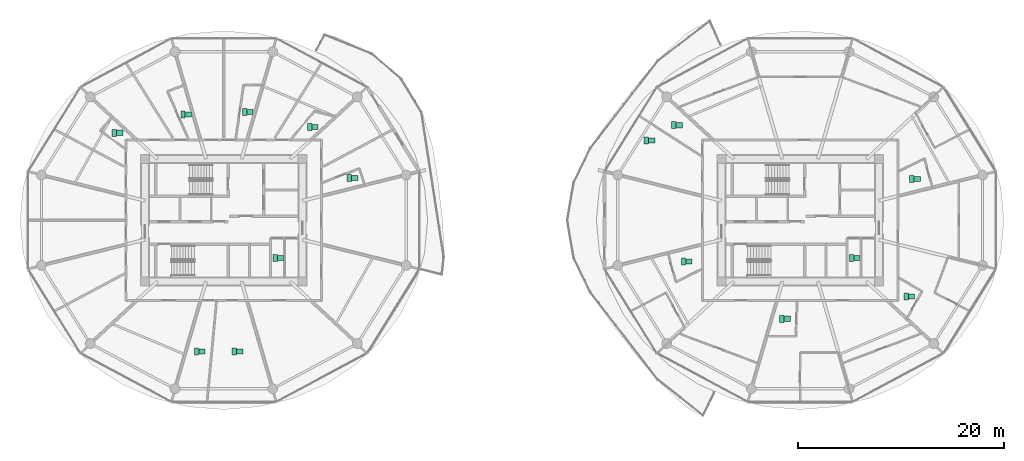
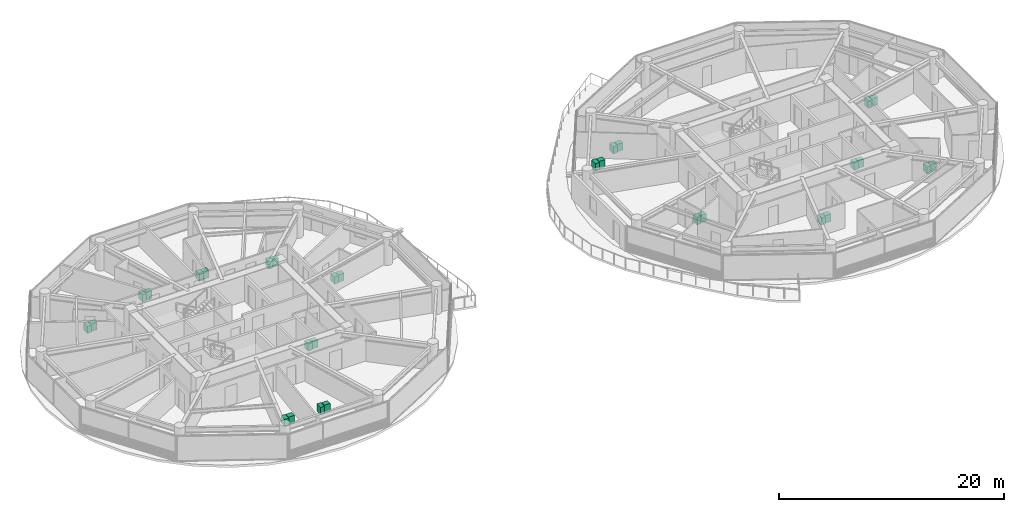
# One storey, part 26 of 26: 30 sanitary terminals.
"""IFC4 building model written with IfcOpenShell, lengths in metres."""

import ifcopenshell
import ifcopenshell.guid

model = None  # the IFC model being written
_history = None  # IfcOwnerHistory: only IFC2X3 demands one
_inside = {}  # id of a spatial element -> (the spatial element, [elements in it])
_under = {}  # id of a project, library or spatial element -> (it, [spatial elements below it])
_declared = {}  # id of a project -> (the project, [libraries it declares])
_typed = {}  # id of a type object -> (the type object, [elements of that type])
_made_of = {}  # id of a material, layer set ... -> (it, [elements and type objects made of it])


def new_model(schema):
    """Start an empty IFC model of exactly this schema.

    Asked for "IFC4X3", IfcOpenShell would pick the latest addendum, in which some entities
    have other attributes; the version numbers below select the first issue.
    IFC2X3 requires an IfcOwnerHistory on every rooted entity: one is made here for all.
    """
    global model, _history
    if schema == "IFC4X3":
        model = ifcopenshell.file(schema_version=(4, 3, 0, 0))
    else:
        model = ifcopenshell.file(schema=schema)
    _inside.clear()
    _under.clear()
    _declared.clear()
    _typed.clear()
    _made_of.clear()
    _history = None
    if model.schema == "IFC2X3":
        org = make("IfcOrganization", Name="unknown")
        user = make(
            "IfcPersonAndOrganization",
            ThePerson=make("IfcPerson", FamilyName="unknown"),
            TheOrganization=org,
        )
        app = make(
            "IfcApplication",
            ApplicationDeveloper=org,
            Version="unknown",
            ApplicationFullName="unknown",
            ApplicationIdentifier="unknown",
        )
        _history = make(
            "IfcOwnerHistory",
            OwningUser=user,
            OwningApplication=app,
            ChangeAction="ADDED",
            CreationDate=0,
        )
    return model


def make(cls, **values):
    """One entity of the class cls with the attributes given. An attribute that is None is left unset."""
    return model.create_entity(
        cls, **{name: value for name, value in values.items() if value is not None}
    )


def rooted(cls, **values):
    """An entity with a GlobalId (a new one), such as an element, a storey or a relation."""
    return make(cls, GlobalId=ifcopenshell.guid.new(), OwnerHistory=_history, **values)


def si_unit(unit_type, name, prefix=None):
    """IfcSIUnit, for example si_unit("LENGTHUNIT", "METRE", prefix="MILLI")."""
    return make("IfcSIUnit", UnitType=unit_type, Prefix=prefix, Name=name)


def assignment(units):
    """IfcUnitAssignment: the units of a project."""
    return None if units is None else make("IfcUnitAssignment", Units=units)


def point(xyz):
    """IfcCartesianPoint."""
    return None if xyz is None else make("IfcCartesianPoint", Coordinates=xyz)


def direction(xyz):
    """IfcDirection."""
    return None if xyz is None else make("IfcDirection", DirectionRatios=xyz)


def frame(location, z_axis=None, x_axis=None):
    """IfcAxis2Placement3D, a coordinate frame: its origin and axes. An axis left out is left unset."""
    return make(
        "IfcAxis2Placement3D",
        Location=point(location),
        Axis=direction(z_axis),
        RefDirection=direction(x_axis),
    )


def frame_2d(location, x_axis=None):
    """IfcAxis2Placement2D, a coordinate frame in the plane: its origin and x axis."""
    return make(
        "IfcAxis2Placement2D", Location=point(location), RefDirection=direction(x_axis)
    )


def origin():
    """The frame at (0, 0, 0) with its axes left unset."""
    return frame((0.0, 0.0, 0.0))


def origin_2d():
    """The frame at (0, 0) in the plane with its x axis left unset."""
    return frame_2d((0.0, 0.0))


def place(relative_to, where):
    """IfcLocalPlacement: puts the frame where relative to a parent placement (None: the world)."""
    return make(
        "IfcLocalPlacement", PlacementRelTo=relative_to, RelativePlacement=where
    )


def context(
    kind, dimensions, precision=None, world=None, true_north=None, identifier=None
):
    """IfcGeometricRepresentationContext, for example the 3D "Model" context."""
    return make(
        "IfcGeometricRepresentationContext",
        ContextIdentifier=identifier,
        ContextType=kind,
        CoordinateSpaceDimension=dimensions,
        Precision=precision,
        WorldCoordinateSystem=world,
        TrueNorth=true_north,
    )


def subcontext(parent, identifier, kind, view, scale=None):
    """IfcGeometricRepresentationSubContext, for example "Body" below "Model"."""
    return make(
        "IfcGeometricRepresentationSubContext",
        ContextIdentifier=identifier,
        ContextType=kind,
        ParentContext=parent,
        TargetScale=scale,
        TargetView=view,
    )


def project(units=None, contexts=None):
    """IfcProject with its units and contexts."""
    return rooted(
        "IfcProject",
        Name="project",
        RepresentationContexts=contexts,
        UnitsInContext=assignment(units),
    )


def spatial(cls, under=None, at=None, **own):
    """A site, building, storey or space (cls), placed at a placement, below another one or the project."""
    s = rooted(cls, ObjectPlacement=at, **own)
    if under is not None:
        _under.setdefault(under.id(), (under, []))[1].append(s)
    return s


def profile(cls, at=None, kind="AREA", **sizes):
    """A parametric profile (cls). Its sizes go by their IFC names, for example OverallWidth=200.0."""
    return make(cls, ProfileType=kind, Position=at, **sizes)


def rectangle(**sizes):
    """IfcRectangleProfileDef."""
    return profile("IfcRectangleProfileDef", **sizes)


def extrude(swept, where, along, depth):
    """IfcExtrudedAreaSolid: the profile swept, set in the frame where, extruded along a direction by depth."""
    return make(
        "IfcExtrudedAreaSolid",
        SweptArea=swept,
        Position=where,
        ExtrudedDirection=direction(along),
        Depth=depth,
    )


def shape(context_of_items, identifier, shape_type, items):
    """IfcShapeRepresentation: the items that make up one representation, for example the "Body"."""
    return make(
        "IfcShapeRepresentation",
        ContextOfItems=context_of_items,
        RepresentationIdentifier=identifier,
        RepresentationType=shape_type,
        Items=items,
    )


def source(mapping_origin, context_of_items, identifier, shape_type, items):
    """IfcRepresentationMap: a shape defined once, which mapped items show again and again."""
    return make(
        "IfcRepresentationMap",
        MappingOrigin=mapping_origin,
        MappedRepresentation=shape(context_of_items, identifier, shape_type, items),
    )


def transform(
    local_origin,
    x_axis=None,
    y_axis=None,
    z_axis=None,
    scale=None,
    scale2=None,
    scale3=None,
    uniform=True,
):
    """IfcCartesianTransformationOperator3D, or its non-uniform kind. x_axis, y_axis, z_axis: its Axis1, 2, 3."""
    if uniform:
        return make(
            "IfcCartesianTransformationOperator3D",
            Axis1=direction(x_axis),
            Axis2=direction(y_axis),
            LocalOrigin=point(local_origin),
            Scale=scale,
            Axis3=direction(z_axis),
        )
    return make(
        "IfcCartesianTransformationOperator3DnonUniform",
        Axis1=direction(x_axis),
        Axis2=direction(y_axis),
        LocalOrigin=point(local_origin),
        Scale=scale,
        Axis3=direction(z_axis),
        Scale2=scale2,
        Scale3=scale3,
    )


def mapped(mapping_source, mapping_target):
    """IfcMappedItem: shows the shape of a source again, moved by a transform."""
    return make(
        "IfcMappedItem", MappingSource=mapping_source, MappingTarget=mapping_target
    )


def material(Name=None, Category=None):
    """IfcMaterial."""
    return make("IfcMaterial", Name=Name, Category=Category)


def made_of(thing, what):
    """Note that an element or type object is made of a material, layer set ...; save() writes the relation."""
    if what is not None:
        _made_of.setdefault(what.id(), (what, []))[1].append(thing)
    return thing


def type_object(cls, material=None, **own):
    """A type object (cls), such as IfcWallType, which elements share."""
    return made_of(rooted(cls, **own), material)


def type_shapes(of_type, sources):
    """Give a type object the sources (RepresentationMaps) that its elements show as mapped items."""
    of_type.RepresentationMaps = sources


def element(
    cls,
    number,
    at=None,
    inside=None,
    cuts=None,
    type_object=None,
    material=None,
    context=None,
    identifier="Body",
    shape_type=None,
    held_by="IfcProductDefinitionShape",
    body=None,
    shapes=None,
    **own,
):
    """One element of the class cls, such as IfcWall. Its Tag is "e" and its number.

    at: its placement. inside: the storey or other place that contains it. cuts: it is an
    opening in that element (IfcRelVoidsElement). A single representation is given by context,
    identifier, shape_type and body (its items); several are given by shapes. held_by: the class
    of the entity that holds the representations. save() writes the other relations.
    """
    e = rooted(cls, Tag="e%d" % number, ObjectPlacement=at, **own)
    if body is not None:
        shapes = [shape(context, identifier, shape_type, body)]
    if shapes is not None:
        e.Representation = make(held_by, Representations=shapes)
    if inside is not None:
        _inside.setdefault(inside.id(), (inside, []))[1].append(e)
    if cuts is not None:
        rooted(
            "IfcRelVoidsElement", RelatingBuildingElement=cuts, RelatedOpeningElement=e
        )
    if type_object is not None:
        _typed.setdefault(type_object.id(), (type_object, []))[1].append(e)
    return made_of(e, material)


def aggregate(whole, parts):
    """IfcRelAggregates: a whole, such as a stair, and the parts it consists of."""
    return rooted("IfcRelAggregates", RelatingObject=whole, RelatedObjects=parts)


def save(model, path):
    """Write the relations noted so far, then the file.

    IfcRelAggregates (storeys below a building ...), IfcRelContainedInSpatialStructure (elements
    in a storey), IfcRelDefinesByType, IfcRelAssociatesMaterial and IfcRelDeclares: one each for
    every whole, place, type object, material and project.
    """
    for whole, parts in _under.values():
        aggregate(whole, parts)
    for where, things in _inside.values():
        rooted(
            "IfcRelContainedInSpatialStructure",
            RelatedElements=things,
            RelatingStructure=where,
        )
    for kind, things in _typed.values():
        rooted("IfcRelDefinesByType", RelatedObjects=things, RelatingType=kind)
    for what, things in _made_of.values():
        rooted("IfcRelAssociatesMaterial", RelatedObjects=things, RelatingMaterial=what)
    for by, libraries in _declared.values():
        rooted("IfcRelDeclares", RelatingContext=by, RelatedDefinitions=libraries)
    model.write(path)


model = new_model("IFC4")

# Units and contexts
model_context = context("Model", 3, precision=1e-05, world=origin(), true_north=direction((0.0, 1.0)))
body_context = subcontext(model_context, "Body", "Model", "MODEL_VIEW")
ifc_project = project(units=[si_unit("LENGTHUNIT", "METRE"), si_unit("AREAUNIT", "SQUARE_METRE"), si_unit("VOLUMEUNIT", "CUBIC_METRE"), si_unit("PLANEANGLEUNIT", "RADIAN"), si_unit("MASSUNIT", "GRAM", prefix="KILO")], contexts=[model_context])

# Site, building, storey
site_placement = place(None, origin())
site = spatial("IfcSite", under=ifc_project, at=site_placement, CompositionType="ELEMENT")
building_placement = place(site_placement, origin())
building = spatial("IfcBuilding", under=site, at=building_placement, Name="Norrkilde Senior Care Towers", CompositionType="ELEMENT")
storey_placement = place(building_placement, frame((0.0, 0.0, 67.35009765625)))
storey = spatial("IfcBuildingStorey", under=building, at=storey_placement, Name="L20", CompositionType="ELEMENT", Elevation=67.35009765625)

# Sanitary terminals
ifc_material = material(Name="Porcelain Ceramic")
sanitary_terminal_type_1 = type_object("IfcSanitaryTerminalType", Name="Accessible Senior WC Suite", PredefinedType="TOILETPAN", material=ifc_material)
shared_shape_1 = source(origin(), body_context, "Body", "SweptSolid", [
    extrude(rectangle(XDim=0.419921875, YDim=0.679931640625, at=origin_2d()), origin(), (0.0, 0.0, 1.0), 0.780029296875),
])
type_shapes(sanitary_terminal_type_1, [shared_shape_1])
for number, where, z_axis, x_axis, name in (
    (1, (-23.010009765625, -3.675048828125, 0.0), (0.0, 0.0, 1.0), (1.0, 0.0, 0.0), "L20 Accessible WC Pan 0070"),
    (2, (-30.65380859375, -12.749267578125, 0.0), (0.0, 0.0, 1.0), (1.0, 0.0, 0.0), "L20 Accessible WC Pan 0071"),
    (3, (-26.9736328125, -12.749267578125, 0.0), (0.0, 0.0, 1.0), (1.0, 0.0, 0.0), "L20 Accessible WC Pan 0072"),
    (4, (-15.811279296875, 4.117431640625, 0.0), (0.0, 0.0, 1.0), (1.0, 0.0, 0.0), "L20 Accessible WC Pan 0073"),
    (5, (-19.664306640625, 9.068359375, 0.0), (0.0, 0.0, 1.0), (1.0, 0.0, 0.0), "L20 Accessible WC Pan 0074"),
    (6, (-25.978759765625, 10.510498046875, 0.0), (0.0, 0.0, 1.0), (1.0, 0.0, 0.0), "L20 Accessible WC Pan 0075"),
    (7, (-31.96923828125, 10.277587890625, 0.0), (0.0, 0.0, 1.0), (1.0, 0.0, 0.0), "L20 Accessible WC Pan 0076"),
    (8, (-38.642578125, 8.492919921875, 0.0), (0.0, 0.0, 1.0), (1.0, 0.0, 0.0), "L20 Accessible WC Pan 0077"),
    (9, (32.989990234375, -3.675048828125, 0.0), (0.0, 0.0, 1.0), (1.0, 0.0, 0.0), "L20 Accessible WC Pan 0078"),
    (10, (16.654052734375, -4.00537109375, 0.0), (0.0, 0.0, 1.0), (1.0, 0.0, 0.0), "L20 Accessible WC Pan 0079"),
    (11, (26.206298828125, -9.575927734375, 0.0), (0.0, 0.0, 1.0), (1.0, 0.0, 0.0), "L20 Accessible WC Pan 0080"),
    (12, (38.289794921875, -7.41748046875, 0.0), (0.0, 0.0, 1.0), (1.0, 0.0, 0.0), "L20 Accessible WC Pan 0081"),
    (13, (38.845947265625, 4.00537109375, 0.0), (0.0, 0.0, 1.0), (1.0, 0.0, 0.0), "L20 Accessible WC Pan 0082"),
    (14, (15.729248046875, 9.228271484375, 0.0), (0.0, 0.0, 1.0), (1.0, 0.0, 0.0), "L20 Accessible WC Pan 0083"),
    (15, (13.0419921875, 7.747802734375, 0.0), (0.0, 0.0, 1.0), (1.0, 0.0, 0.0), "L20 Accessible WC Pan 0084"),
):
    element("IfcSanitaryTerminal", number, at=place(storey_placement, frame(where, z_axis=z_axis, x_axis=x_axis)), inside=storey, type_object=sanitary_terminal_type_1, Name=name, PredefinedType="TOILETPAN", context=body_context, shape_type="MappedRepresentation", body=[
        mapped(shared_shape_1, transform((0.0, 0.0, 0.0), x_axis=(1.0, 0.0, 0.0), y_axis=(0.0, 1.0, 0.0), z_axis=(0.0, 0.0, 1.0), scale=1.0)),
    ])
sanitary_terminal_type_2 = type_object("IfcSanitaryTerminalType", Name="Thermostatic Care Washbasin", PredefinedType="WASHHANDBASIN", material=ifc_material)
shared_shape_2 = source(origin(), body_context, "Body", "SweptSolid", [
    extrude(rectangle(XDim=0.60009765625, YDim=0.5, at=origin_2d()), origin(), (0.0, 0.0, 1.0), 0.820068359375),
])
type_shapes(sanitary_terminal_type_2, [shared_shape_2])
for number, where, z_axis, x_axis, name in (
    (16, (-22.47998046875, -3.675048828125, 0.0), (0.0, 0.0, 1.0), (1.0, 0.0, 0.0), "L20 Accessible Washbasin 0070"),
    (17, (-30.123779296875, -12.749267578125, 0.0), (0.0, 0.0, 1.0), (1.0, 0.0, 0.0), "L20 Accessible Washbasin 0071"),
    (18, (-26.443603515625, -12.749267578125, 0.0), (0.0, 0.0, 1.0), (1.0, 0.0, 0.0), "L20 Accessible Washbasin 0072"),
    (19, (-15.28125, 4.117431640625, 0.0), (0.0, 0.0, 1.0), (1.0, 0.0, 0.0), "L20 Accessible Washbasin 0073"),
    (20, (-19.134521484375, 9.068359375, 0.0), (0.0, 0.0, 1.0), (1.0, 0.0, 0.0), "L20 Accessible Washbasin 0074"),
    (21, (-25.44873046875, 10.510498046875, 0.0), (0.0, 0.0, 1.0), (1.0, 0.0, 0.0), "L20 Accessible Washbasin 0075"),
    (22, (-31.439208984375, 10.277587890625, 0.0), (0.0, 0.0, 1.0), (1.0, 0.0, 0.0), "L20 Accessible Washbasin 0076"),
    (23, (-38.11279296875, 8.492919921875, 0.0), (0.0, 0.0, 1.0), (1.0, 0.0, 0.0), "L20 Accessible Washbasin 0077"),
    (24, (33.52001953125, -3.675048828125, 0.0), (0.0, 0.0, 1.0), (1.0, 0.0, 0.0), "L20 Accessible Washbasin 0078"),
    (25, (17.18408203125, -4.00537109375, 0.0), (0.0, 0.0, 1.0), (1.0, 0.0, 0.0), "L20 Accessible Washbasin 0079"),
    (26, (26.736083984375, -9.575927734375, 0.0), (0.0, 0.0, 1.0), (1.0, 0.0, 0.0), "L20 Accessible Washbasin 0080"),
    (27, (38.819580078125, -7.41748046875, 0.0), (0.0, 0.0, 1.0), (1.0, 0.0, 0.0), "L20 Accessible Washbasin 0081"),
    (28, (39.3759765625, 4.00537109375, 0.0), (0.0, 0.0, 1.0), (1.0, 0.0, 0.0), "L20 Accessible Washbasin 0082"),
    (29, (16.25927734375, 9.228271484375, 0.0), (0.0, 0.0, 1.0), (1.0, 0.0, 0.0), "L20 Accessible Washbasin 0083"),
    (30, (13.572021484375, 7.747802734375, 0.0), (0.0, 0.0, 1.0), (1.0, 0.0, 0.0), "L20 Accessible Washbasin 0084"),
):
    element("IfcSanitaryTerminal", number, at=place(storey_placement, frame(where, z_axis=z_axis, x_axis=x_axis)), inside=storey, type_object=sanitary_terminal_type_2, Name=name, PredefinedType="WASHHANDBASIN", context=body_context, shape_type="MappedRepresentation", body=[
        mapped(shared_shape_2, transform((0.0, 0.0, 0.0), x_axis=(1.0, 0.0, 0.0), y_axis=(0.0, 1.0, 0.0), z_axis=(0.0, 0.0, 1.0), scale=1.0)),
    ])

save(model, "model.ifc")
